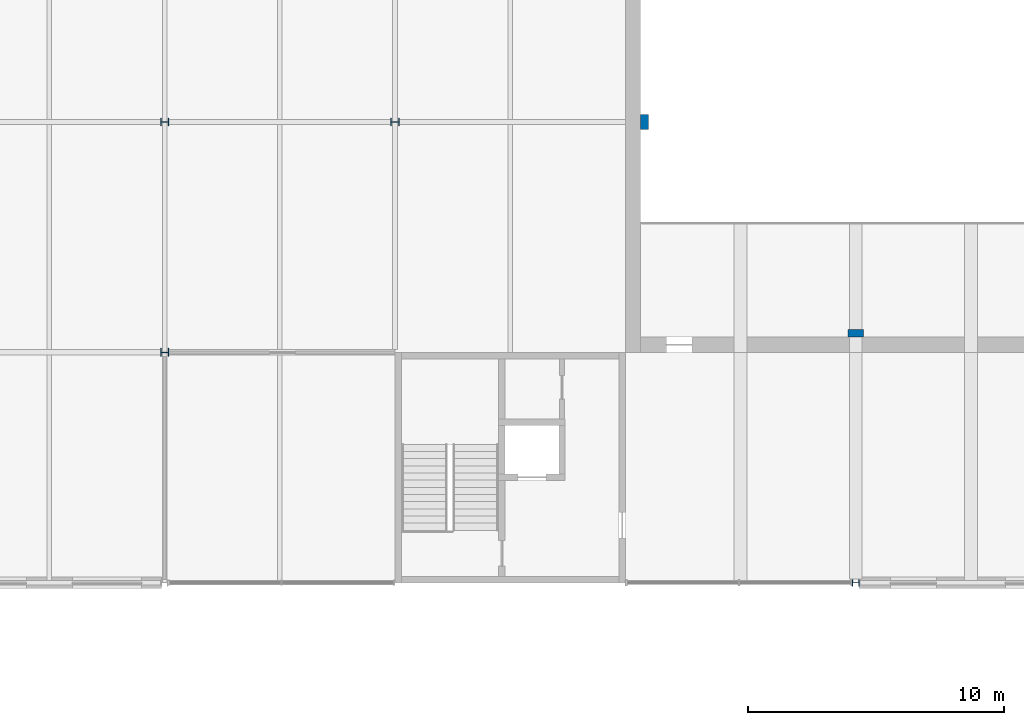
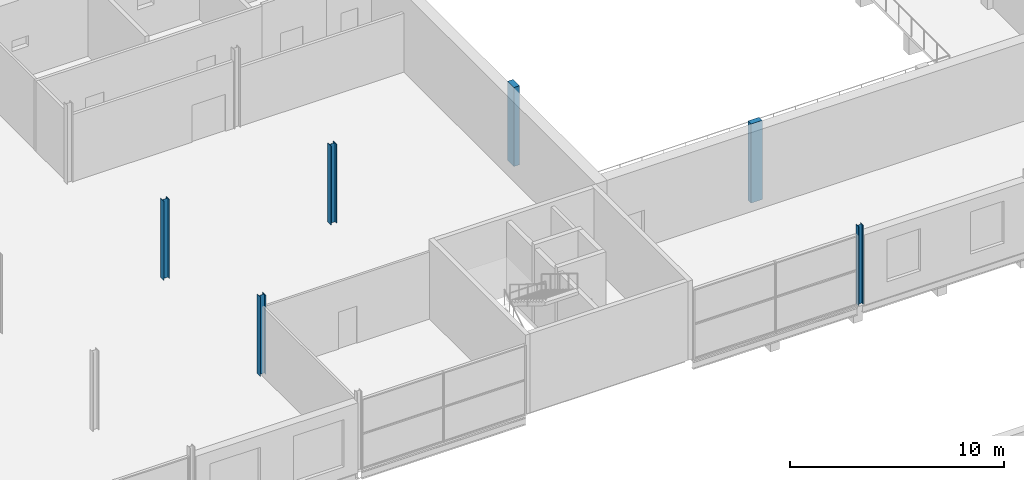
# One storey, part 11 of 97: 6 columns.
"""IFC4 building model written with IfcOpenShell, lengths in metres."""

from ifc_helpers import new_model, si_unit, direction, frame, origin, origin_2d, place, context, subcontext, project, spatial, rectangle, i_section, extrude, material, material_profile, profile_set, type_object, element, save


model = new_model("IFC4")

# Units and contexts
model_context = context("Model", 3, precision=1e-05, world=origin(), true_north=direction((0.0, 1.0)))
body_context = subcontext(model_context, "Body", "Model", "MODEL_VIEW")
ifc_project = project(units=[si_unit("LENGTHUNIT", "METRE"), si_unit("AREAUNIT", "SQUARE_METRE"), si_unit("VOLUMEUNIT", "CUBIC_METRE"), si_unit("PLANEANGLEUNIT", "RADIAN"), si_unit("MASSUNIT", "GRAM", prefix="KILO")], contexts=[model_context])

# Site, building, storey
site_placement = place(None, origin())
site = spatial("IfcSite", under=ifc_project, at=site_placement, CompositionType="ELEMENT")
building_placement = place(site_placement, origin())
building = spatial("IfcBuilding", under=site, at=building_placement, Name="Corbel Yard City Hall", CompositionType="ELEMENT")
storey_placement = place(building_placement, frame((0.0, 0.0, 6.0)))
storey = spatial("IfcBuildingStorey", under=building, at=storey_placement, Name="L01", CompositionType="ELEMENT", Elevation=6.0)

# Columns
ifc_material_1 = material(Name="Concrete N50 (50 MPa)", Category="concrete")
ifc_material_profile_1 = material_profile(ifc_material_1, rectangle(XDim=0.60009765625, YDim=0.300048828125, at=origin_2d()), Name="600x300")
ifc_profile_set_1 = profile_set([ifc_material_profile_1], Name="Concrete N50 (50 MPa)")
column_type_1 = type_object("IfcColumnType", Name="Chamber pilaster RC 600X300", PredefinedType="PILASTER", material=ifc_profile_set_1)
for number, where, z_axis, x_axis, name in (
    (1, (126.0, 54.75, 0.0), (0.0, 0.0, 1.0), (1.0, 0.0, 0.0), "Chamber pilaster RC 600X300 RC2 L01"),
    (2, (117.75, 63.0, 0.0), (0.0, 0.0, 1.0), (0.0, 1.0, 0.0), "Chamber pilaster RC 600X300 RC2 L01"),
):
    element("IfcColumn", number, at=place(storey_placement, frame(where, z_axis=z_axis, x_axis=x_axis)), inside=storey, type_object=column_type_1, Name=name, PredefinedType="PILASTER", context=body_context, shape_type="SweptSolid", body=[
        extrude(rectangle(XDim=0.60009765625, YDim=0.300048828125, at=origin_2d()), origin(), (0.0, 0.0, 1.0), 4.5),
    ])
ifc_material_2 = material(Name="Steel Grade 300 (300 MPa yield)", Category="steel")
ifc_material_profile_2 = material_profile(ifc_material_2, i_section(OverallWidth=0.256103515625, OverallDepth=0.260009765625, WebThickness=0.010498046875, FlangeThickness=0.017333984375, at=origin_2d()), Name="250UC89.5")
ifc_profile_set_2 = profile_set([ifc_material_profile_2], Name="Steel Grade 300 (300 MPa yield)")
column_type_2 = type_object("IfcColumnType", Name="Column 250UC89.5", PredefinedType="COLUMN", material=ifc_profile_set_2)
column_placement = place(storey_placement, frame((126.0, 45.0, 0.0), z_axis=(0.0, 0.0, 1.0), x_axis=(0.0, 1.0, 0.0)))
element("IfcColumn", 3, at=column_placement, inside=storey, type_object=column_type_2, Name="Column 250UC89.5 F/15 L01", PredefinedType="COLUMN", context=body_context, shape_type="SweptSolid", body=[
    extrude(i_section(OverallWidth=0.256103515625, OverallDepth=0.260009765625, WebThickness=0.010498046875, FlangeThickness=0.017333984375, at=origin_2d()), origin(), (0.0, 0.0, 1.0), 4.5),
])
ifc_material_profile_3 = material_profile(ifc_material_2, i_section(OverallWidth=0.306884765625, OverallDepth=0.31494140625, WebThickness=0.011962890625, FlangeThickness=0.018798828125, at=origin_2d()), Name="310UC118")
ifc_profile_set_3 = profile_set([ifc_material_profile_3], Name="Steel Grade 300 (300 MPa yield)")
column_type_3 = type_object("IfcColumnType", Name="Column 310UC118", PredefinedType="COLUMN", material=ifc_profile_set_3)
for number, where, z_axis, x_axis, name in (
    (4, (99.0, 54.0, 0.0), (0.0, 0.0, 1.0), (0.0, 1.0, 0.0), "Column 310UC118 G/12 L01"),
    (5, (99.0, 63.0, 0.0), (0.0, 0.0, 1.0), (0.0, 1.0, 0.0), "Column 310UC118 H/12 L01"),
    (6, (108.0, 63.0, 0.0), (0.0, 0.0, 1.0), (0.0, 1.0, 0.0), "Column 310UC118 H/13 L01"),
):
    element("IfcColumn", number, at=place(storey_placement, frame(where, z_axis=z_axis, x_axis=x_axis)), inside=storey, type_object=column_type_3, Name=name, PredefinedType="COLUMN", context=body_context, shape_type="SweptSolid", body=[
        extrude(i_section(OverallWidth=0.306884765625, OverallDepth=0.31494140625, WebThickness=0.011962890625, FlangeThickness=0.018798828125, at=origin_2d()), origin(), (0.0, 0.0, 1.0), 4.5),
    ])

save(model, "model.ifc")
